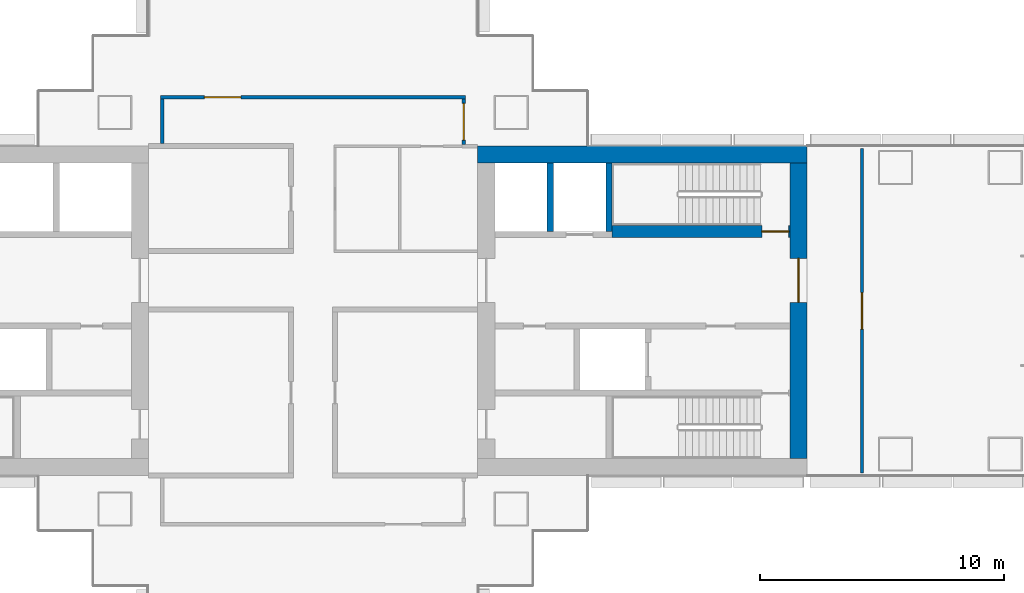
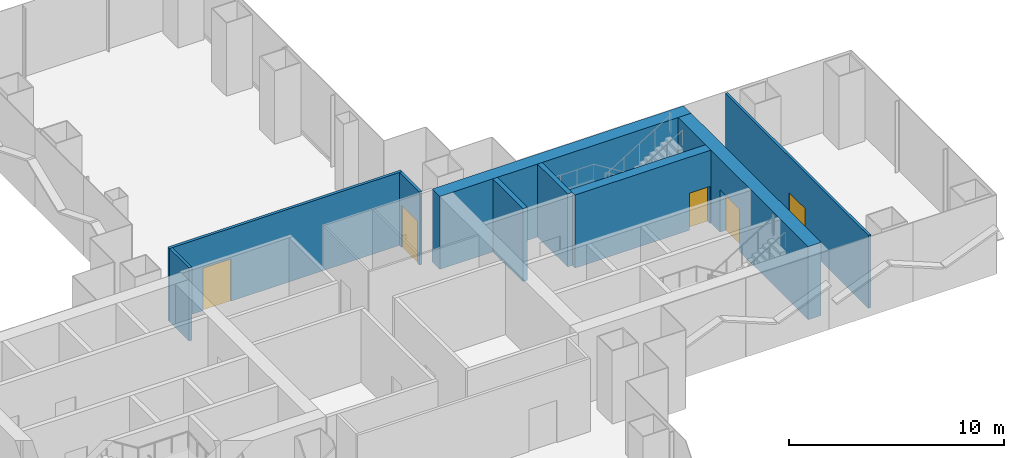
# One storey, part 17 of 22: 9 walls, 5 doors, 5 openings.
"""IFC4 building model written with IfcOpenShell, lengths in metres."""

from ifc_helpers import new_model, si_unit, direction, frame, frame_2d, origin, place, context, subcontext, project, spatial, rectangle, extrude, material, layer, layer_set, type_object, element, fill, save


model = new_model("IFC4")

# Units and contexts
model_context = context("Model", 3, precision=1e-05, world=origin(), true_north=direction((0.0, 1.0)))
body_context = subcontext(model_context, "Body", "Model", "MODEL_VIEW")
ifc_project = project(units=[si_unit("LENGTHUNIT", "METRE"), si_unit("AREAUNIT", "SQUARE_METRE"), si_unit("VOLUMEUNIT", "CUBIC_METRE"), si_unit("PLANEANGLEUNIT", "RADIAN"), si_unit("MASSUNIT", "GRAM", prefix="KILO")], contexts=[model_context])

# Site, building, storey
site_placement = place(None, origin())
site = spatial("IfcSite", under=ifc_project, at=site_placement, CompositionType="ELEMENT")
building_placement = place(site_placement, origin())
building = spatial("IfcBuilding", under=site, at=building_placement, Name="Shamsa Quay Exchange Towers", CompositionType="ELEMENT")
storey_placement = place(building_placement, frame((0.0, 0.0, 37.5)))
storey = spatial("IfcBuildingStorey", under=building, at=storey_placement, Name="L07", CompositionType="ELEMENT", Elevation=37.5)

# Wall
ifc_material_1 = material(Name="Concrete C80/95", Category="concrete")
ifc_layer_1 = layer(ifc_material_1, 0.699951171875)
ifc_layer_set_1 = layer_set([ifc_layer_1], Name="CORE WALL 700 C80/95")
wall_type_1 = type_object("IfcWallType", Name="CORE WALL 700 C80/95", PredefinedType="SHEAR", material=ifc_layer_set_1)
wall_1_placement = place(storey_placement, frame((54.0, 6.39990234375, 0.0), z_axis=(0.0, 0.0, 1.0), x_axis=(-1.0, 0.0, 0.0)))
element("IfcWall", 1, at=wall_1_placement, inside=storey, type_object=wall_type_1, Name="Core wall T2B-R02-PN", PredefinedType="SHEAR", context=body_context, shape_type="SweptSolid", body=[
    extrude(rectangle(XDim=13.5, YDim=0.699951171875, at=frame_2d((6.75, 0.0))), origin(), (0.0, 0.0, 1.0), 4.14990234375),
])

# Wall, opening, door
wall_2_placement = place(storey_placement, frame((53.64990234375, -6.050048828125, 0.0), z_axis=(0.0, 0.0, 1.0), x_axis=(0.0, 1.0, 0.0)))
wall_2 = element("IfcWall", 2, at=wall_2_placement, inside=storey, type_object=wall_type_1, Name="Core wall T2B-R02-PF", PredefinedType="SHEAR", context=body_context, shape_type="SweptSolid", body=[
    extrude(rectangle(XDim=12.10009765625, YDim=0.699951171875, at=frame_2d((6.050048828125, 0.0))), origin(), (0.0, 0.0, 1.0), 4.14990234375),
])
opening_1_placement = place(wall_2_placement, frame((6.39990234375, 0.0, 0.0)))
opening_1 = element("IfcOpeningElement", 3, at=opening_1_placement, cuts=wall_2, Name="Opening T2B-R02-LBD01", PredefinedType="OPENING", context=body_context, shape_type="SweptSolid", body=[
    extrude(rectangle(XDim=1.800048828125, YDim=2.39990234375, at=frame_2d((0.89990234375, 1.199951171875))), frame((0.0, 0.35986328125, 0.0), z_axis=(0.0, -1.0, 0.0), x_axis=(1.0, 0.0, 0.0)), (0.0, 0.0, 1.0), 0.719970703125),
])
ifc_material_2 = material(Name="Steel, fire rated", Category="steel")
door_type_1 = type_object("IfcDoorType", Name="LIFT LOBBY DOOR PAIR 1800", OperationType="DOUBLE_DOOR_SINGLE_SWING", PredefinedType="DOOR", material=ifc_material_2)
door_1_placement = place(opening_1_placement, origin())
door_1 = element("IfcDoor", 4, at=door_1_placement, inside=storey, type_object=door_type_1, Name="T2B-R02-LBD01", OperationType="DOUBLE_DOOR_SINGLE_SWING", OverallHeight=2.39990234375, OverallWidth=1.800048828125, PredefinedType="DOOR", context=body_context, shape_type="SweptSolid", body=[
    extrude(rectangle(XDim=1.800048828125, YDim=2.39990234375, at=frame_2d((0.89990234375, 1.199951171875))), frame((0.0, 0.02490234375, 0.0), z_axis=(0.0, -1.0, 0.0), x_axis=(1.0, 0.0, 0.0)), (0.0, 0.0, 1.0), 0.050048828125),
])
fill(opening_1, door_1)

ifc_material_3 = material(Name="Laminated fire-resisting glass in a metal frame", Category="glass")
ifc_layer_2 = layer(ifc_material_3, 0.125)
ifc_layer_set_2 = layer_set([ifc_layer_2], Name="Glazed partition 125 mm EI 60")
wall_type_2 = type_object("IfcWallType", Name="Glazed partition 125 mm EI 60", PredefinedType="PARTITIONING", material=ifc_layer_set_2)
wall_3_placement = place(storey_placement, frame((56.25, -6.655029296875, 0.0), z_axis=(0.0, 0.0, 1.0), x_axis=(0.0, 1.0, 0.0)))
wall_3 = element("IfcWall", 5, at=wall_3_placement, inside=storey, type_object=wall_type_2, Name="Partition T2-R02-W19", PredefinedType="PARTITIONING", context=body_context, shape_type="SweptSolid", body=[
    extrude(rectangle(XDim=13.31005859375, YDim=0.125, at=frame_2d((6.655029296875, 0.0))), origin(), (0.0, 0.0, 1.0), 4.14990234375),
])
opening_2_placement = place(wall_3_placement, frame((5.905029296875, 0.0, 0.0)))
opening_2 = element("IfcOpeningElement", 6, at=opening_2_placement, cuts=wall_3, Name="Opening T2-R02-D01", PredefinedType="OPENING", context=body_context, shape_type="SweptSolid", body=[
    extrude(rectangle(XDim=1.5, YDim=2.10009765625, at=frame_2d((0.75, 1.050048828125))), frame((0.0, 0.072509765625, 0.0), z_axis=(0.0, -1.0, 0.0), x_axis=(1.0, 0.0, 0.0)), (0.0, 0.0, 1.0), 0.14501953125),
])
ifc_material_4 = material(Name="Timber door leaf in a metal frame", Category="wood")
door_type_2 = type_object("IfcDoorType", Name="Door 1500x2100 FD30S pair", OperationType="NOTDEFINED", PredefinedType="DOOR", material=ifc_material_4)
door_2_placement = place(opening_2_placement, origin())
door_2 = element("IfcDoor", 7, at=door_2_placement, inside=storey, type_object=door_type_2, Name="Door T2-R02-D01", OperationType="DOUBLE_DOOR_SINGLE_SWING", OverallHeight=2.10009765625, OverallWidth=1.5, PredefinedType="DOOR", context=body_context, shape_type="SweptSolid", body=[
    extrude(rectangle(XDim=1.5, YDim=2.10009765625, at=frame_2d((0.75, 1.050048828125))), frame((0.0, 0.02490234375, 0.0), z_axis=(0.0, -1.0, 0.0), x_axis=(1.0, 0.0, 0.0)), (0.0, 0.0, 1.0), 0.050048828125),
])
fill(opening_2, door_2)

ifc_material_5 = material(Name="Gypsum board partition on metal studs")
ifc_layer_3 = layer(ifc_material_5, 0.14990234375)
ifc_layer_set_3 = layer_set([ifc_layer_3], Name="Partition 150 mm EI 60")
wall_type_3 = type_object("IfcWallType", Name="Partition 150 mm EI 60", PredefinedType="PARTITIONING", material=ifc_layer_set_3)
wall_4_placement = place(storey_placement, frame((39.9248046875, 6.824951171875, 0.0), z_axis=(0.0, 0.0, 1.0), x_axis=(0.0, 1.0, 0.0)))
wall_4 = element("IfcWall", 8, at=wall_4_placement, inside=storey, type_object=wall_type_3, Name="Partition T2-R02-W13", PredefinedType="PARTITIONING", context=body_context, shape_type="SweptSolid", body=[
    extrude(rectangle(XDim=1.85009765625, YDim=0.14990234375, at=frame_2d((0.925048828125, 0.0))), origin(), (0.0, 0.0, 1.0), 4.14990234375),
])
opening_3_placement = place(wall_4_placement, frame((0.175048828125, 0.0, 0.0)))
opening_3 = element("IfcOpeningElement", 9, at=opening_3_placement, cuts=wall_4, Name="Opening T2-R02-D04", PredefinedType="OPENING", context=body_context, shape_type="SweptSolid", body=[
    extrude(rectangle(XDim=1.5, YDim=2.39990234375, at=frame_2d((0.75, 1.199951171875))), frame((0.0, 0.0849609375, 0.0), z_axis=(0.0, -1.0, 0.0), x_axis=(1.0, 0.0, 0.0)), (0.0, 0.0, 1.0), 0.169921875),
])
door_type_3 = type_object("IfcDoorType", Name="Door 1500x2400 FD30S pair", OperationType="NOTDEFINED", PredefinedType="DOOR", material=ifc_material_4)
door_3_placement = place(opening_3_placement, origin())
door_3 = element("IfcDoor", 10, at=door_3_placement, inside=storey, type_object=door_type_3, Name="Door T2-R02-D04", OperationType="DOUBLE_DOOR_SINGLE_SWING", OverallHeight=2.39990234375, OverallWidth=1.5, PredefinedType="DOOR", context=body_context, shape_type="SweptSolid", body=[
    extrude(rectangle(XDim=1.5, YDim=2.39990234375, at=frame_2d((0.75, 1.199951171875))), frame((0.0, 0.02490234375, 0.0), z_axis=(0.0, -1.0, 0.0), x_axis=(1.0, 0.0, 0.0)), (0.0, 0.0, 1.0), 0.050048828125),
])
fill(opening_3, door_3)

wall_5_placement = place(storey_placement, frame((39.999755859375, 8.75, 0.0), z_axis=(0.0, 0.0, 1.0), x_axis=(-1.0, 0.0, 0.0)))
wall_5 = element("IfcWall", 11, at=wall_5_placement, inside=storey, type_object=wall_type_3, Name="Partition T2-R02-W15", PredefinedType="PARTITIONING", context=body_context, shape_type="SweptSolid", body=[
    extrude(rectangle(XDim=12.49951171875, YDim=0.14990234375, at=frame_2d((6.249755859375, 0.0))), origin(), (0.0, 0.0, 1.0), 4.14990234375),
])
opening_4_placement = place(wall_5_placement, frame((9.20458984375, 0.0, 0.0)))
opening_4 = element("IfcOpeningElement", 12, at=opening_4_placement, cuts=wall_5, Name="Opening T2-R02-D10", PredefinedType="OPENING", context=body_context, shape_type="SweptSolid", body=[
    extrude(rectangle(XDim=1.5, YDim=2.39990234375, at=frame_2d((0.75, 1.199951171875))), frame((0.0, 0.0849609375, 0.0), z_axis=(0.0, -1.0, 0.0), x_axis=(1.0, 0.0, 0.0)), (0.0, 0.0, 1.0), 0.169921875),
])
door_4_placement = place(opening_4_placement, origin())
door_4 = element("IfcDoor", 13, at=door_4_placement, inside=storey, type_object=door_type_3, Name="Door T2-R02-D10", OperationType="DOUBLE_DOOR_SINGLE_SWING", OverallHeight=2.39990234375, OverallWidth=1.5, PredefinedType="DOOR", context=body_context, shape_type="SweptSolid", body=[
    extrude(rectangle(XDim=1.5, YDim=2.39990234375, at=frame_2d((0.75, 1.199951171875))), frame((0.0, 0.02490234375, 0.0), z_axis=(0.0, -1.0, 0.0), x_axis=(1.0, 0.0, 0.0)), (0.0, 0.0, 1.0), 0.050048828125),
])
fill(opening_4, door_4)

# Walls
wall_6_placement = place(storey_placement, frame((27.5751953125, 8.675048828125, 0.0), z_axis=(0.0, 0.0, 1.0), x_axis=(0.0, -1.0, 0.0)))
element("IfcWall", 14, at=wall_6_placement, inside=storey, type_object=wall_type_3, Name="Partition T2-R02-W17", PredefinedType="PARTITIONING", context=body_context, shape_type="SweptSolid", body=[
    extrude(rectangle(XDim=1.824951171875, YDim=0.14990234375, at=frame_2d((0.91259765625, 0.0))), origin(), (0.0, 0.0, 1.0), 4.14990234375),
])
ifc_material_6 = material(Name="Concrete C50/60", Category="concrete")
ifc_layer_4 = layer(ifc_material_6, 0.25)
ifc_layer_set_4 = layer_set([ifc_layer_4], Name="SHAFT WALL 250 C50/60")
wall_type_4 = type_object("IfcWallType", Name="SHAFT WALL 250 C50/60", PredefinedType="SHEAR", material=ifc_layer_set_4)
for number, where, z_axis, x_axis, name in (
    (15, (45.875, 3.25, 0.0), (0.0, 0.0, 1.0), (0.0, 1.0, 0.0), "Shaft wall T2B-R02-STF2"),
    (16, (43.47509765625, 3.25, 0.0), (0.0, 0.0, 1.0), (0.0, 1.0, 0.0), "Shaft wall T2B-R02-D0"),
):
    element("IfcWall", number, at=place(storey_placement, frame(where, z_axis=z_axis, x_axis=x_axis)), inside=storey, type_object=wall_type_4, Name=name, PredefinedType="SHEAR", context=body_context, shape_type="SweptSolid", body=[
        extrude(rectangle(XDim=2.800048828125, YDim=0.25, at=frame_2d((1.39990234375, 0.0))), origin(), (0.0, 0.0, 1.0), 4.14990234375),
    ])

# Wall, opening, door
ifc_layer_5 = layer(ifc_material_6, 0.5)
ifc_layer_set_5 = layer_set([ifc_layer_5], Name="SHAFT WALL 500 C50/60")
wall_type_5 = type_object("IfcWallType", Name="SHAFT WALL 500 C50/60", PredefinedType="SHEAR", material=ifc_layer_set_5)
wall_7_placement = place(storey_placement, frame((46.0, 3.25, 0.0)))
wall_7 = element("IfcWall", 17, at=wall_7_placement, inside=storey, type_object=wall_type_5, Name="Shaft wall T2B-R02-N", PredefinedType="SHEAR", context=body_context, shape_type="SweptSolid", body=[
    extrude(rectangle(XDim=7.300048828125, YDim=0.5, at=frame_2d((3.64990234375, 0.0))), origin(), (0.0, 0.0, 1.0), 4.14990234375),
])
opening_5_placement = place(wall_7_placement, frame((6.14990234375, 0.0, 0.0)))
opening_5 = element("IfcOpeningElement", 18, at=opening_5_placement, cuts=wall_7, Name="Opening T2B-R02-SD08", PredefinedType="OPENING", context=body_context, shape_type="SweptSolid", body=[
    extrude(rectangle(XDim=1.10009765625, YDim=2.10009765625, at=frame_2d((0.550048828125, 1.050048828125))), frame((0.0, 0.260009765625, 0.0), z_axis=(0.0, -1.0, 0.0), x_axis=(1.0, 0.0, 0.0)), (0.0, 0.0, 1.0), 0.52001953125),
])
door_type_4 = type_object("IfcDoorType", Name="STAIR DOOR 1100", OperationType="SINGLE_SWING_LEFT", PredefinedType="DOOR", material=ifc_material_2)
door_5_placement = place(opening_5_placement, origin())
door_5 = element("IfcDoor", 19, at=door_5_placement, inside=storey, type_object=door_type_4, Name="T2B-R02-SD08", OperationType="SINGLE_SWING_RIGHT", OverallHeight=2.10009765625, OverallWidth=1.10009765625, PredefinedType="DOOR", context=body_context, shape_type="SweptSolid", body=[
    extrude(rectangle(XDim=1.10009765625, YDim=2.10009765625, at=frame_2d((0.550048828125, 1.050048828125))), frame((0.0, 0.02490234375, 0.0), z_axis=(0.0, -1.0, 0.0), x_axis=(1.0, 0.0, 0.0)), (0.0, 0.0, 1.0), 0.050048828125),
])
fill(opening_5, door_5)

save(model, "model.ifc")
